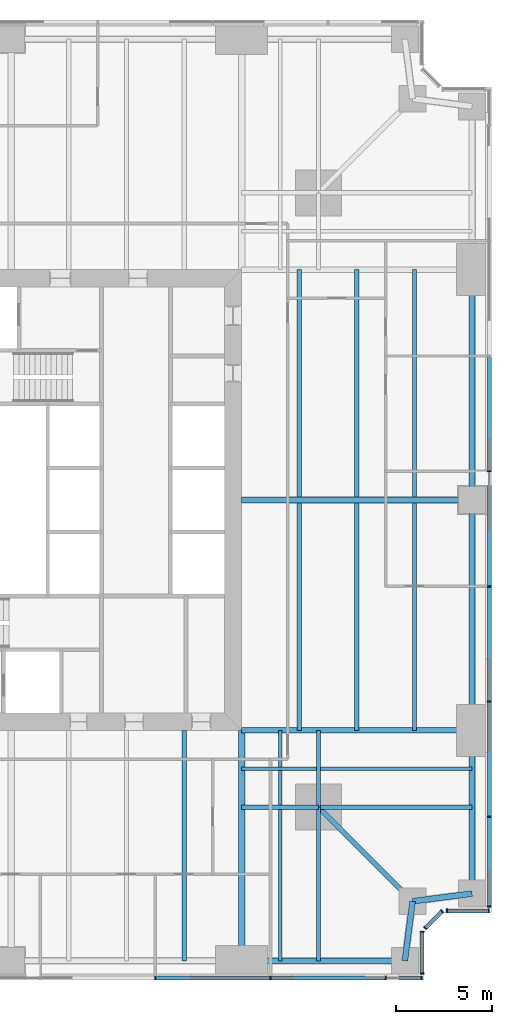
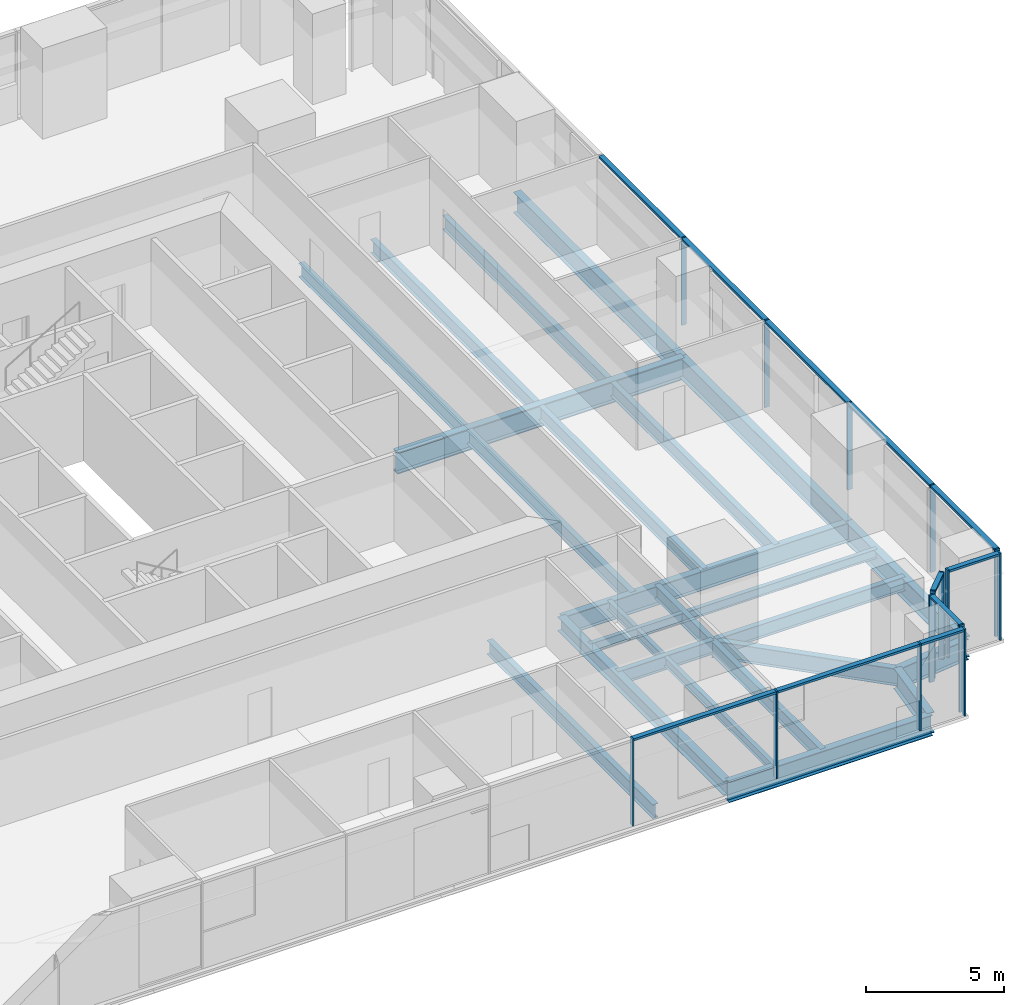
# One storey, part 5 of 14: 26 beams, 26 members, 5 elements without a shape of their own.
"""IFC4 building model written with IfcOpenShell, lengths in metres."""

import ifcopenshell
import ifcopenshell.guid

model = None  # the IFC model being written
_history = None  # IfcOwnerHistory: only IFC2X3 demands one
_inside = {}  # id of a spatial element -> (the spatial element, [elements in it])
_under = {}  # id of a project, library or spatial element -> (it, [spatial elements below it])
_declared = {}  # id of a project -> (the project, [libraries it declares])
_typed = {}  # id of a type object -> (the type object, [elements of that type])
_made_of = {}  # id of a material, layer set ... -> (it, [elements and type objects made of it])


def new_model(schema):
    """Start an empty IFC model of exactly this schema.

    Asked for "IFC4X3", IfcOpenShell would pick the latest addendum, in which some entities
    have other attributes; the version numbers below select the first issue.
    IFC2X3 requires an IfcOwnerHistory on every rooted entity: one is made here for all.
    """
    global model, _history
    if schema == "IFC4X3":
        model = ifcopenshell.file(schema_version=(4, 3, 0, 0))
    else:
        model = ifcopenshell.file(schema=schema)
    _inside.clear()
    _under.clear()
    _declared.clear()
    _typed.clear()
    _made_of.clear()
    _history = None
    if model.schema == "IFC2X3":
        org = make("IfcOrganization", Name="unknown")
        user = make(
            "IfcPersonAndOrganization",
            ThePerson=make("IfcPerson", FamilyName="unknown"),
            TheOrganization=org,
        )
        app = make(
            "IfcApplication",
            ApplicationDeveloper=org,
            Version="unknown",
            ApplicationFullName="unknown",
            ApplicationIdentifier="unknown",
        )
        _history = make(
            "IfcOwnerHistory",
            OwningUser=user,
            OwningApplication=app,
            ChangeAction="ADDED",
            CreationDate=0,
        )
    return model


def make(cls, **values):
    """One entity of the class cls with the attributes given. An attribute that is None is left unset."""
    return model.create_entity(
        cls, **{name: value for name, value in values.items() if value is not None}
    )


def rooted(cls, **values):
    """An entity with a GlobalId (a new one), such as an element, a storey or a relation."""
    return make(cls, GlobalId=ifcopenshell.guid.new(), OwnerHistory=_history, **values)


def si_unit(unit_type, name, prefix=None):
    """IfcSIUnit, for example si_unit("LENGTHUNIT", "METRE", prefix="MILLI")."""
    return make("IfcSIUnit", UnitType=unit_type, Prefix=prefix, Name=name)


def assignment(units):
    """IfcUnitAssignment: the units of a project."""
    return None if units is None else make("IfcUnitAssignment", Units=units)


def point(xyz):
    """IfcCartesianPoint."""
    return None if xyz is None else make("IfcCartesianPoint", Coordinates=xyz)


def direction(xyz):
    """IfcDirection."""
    return None if xyz is None else make("IfcDirection", DirectionRatios=xyz)


def frame(location, z_axis=None, x_axis=None):
    """IfcAxis2Placement3D, a coordinate frame: its origin and axes. An axis left out is left unset."""
    return make(
        "IfcAxis2Placement3D",
        Location=point(location),
        Axis=direction(z_axis),
        RefDirection=direction(x_axis),
    )


def frame_2d(location, x_axis=None):
    """IfcAxis2Placement2D, a coordinate frame in the plane: its origin and x axis."""
    return make(
        "IfcAxis2Placement2D", Location=point(location), RefDirection=direction(x_axis)
    )


def origin():
    """The frame at (0, 0, 0) with its axes left unset."""
    return frame((0.0, 0.0, 0.0))


def origin_2d():
    """The frame at (0, 0) in the plane with its x axis left unset."""
    return frame_2d((0.0, 0.0))


def place(relative_to, where):
    """IfcLocalPlacement: puts the frame where relative to a parent placement (None: the world)."""
    return make(
        "IfcLocalPlacement", PlacementRelTo=relative_to, RelativePlacement=where
    )


def context(
    kind, dimensions, precision=None, world=None, true_north=None, identifier=None
):
    """IfcGeometricRepresentationContext, for example the 3D "Model" context."""
    return make(
        "IfcGeometricRepresentationContext",
        ContextIdentifier=identifier,
        ContextType=kind,
        CoordinateSpaceDimension=dimensions,
        Precision=precision,
        WorldCoordinateSystem=world,
        TrueNorth=true_north,
    )


def subcontext(parent, identifier, kind, view, scale=None):
    """IfcGeometricRepresentationSubContext, for example "Body" below "Model"."""
    return make(
        "IfcGeometricRepresentationSubContext",
        ContextIdentifier=identifier,
        ContextType=kind,
        ParentContext=parent,
        TargetScale=scale,
        TargetView=view,
    )


def project(units=None, contexts=None):
    """IfcProject with its units and contexts."""
    return rooted(
        "IfcProject",
        Name="project",
        RepresentationContexts=contexts,
        UnitsInContext=assignment(units),
    )


def spatial(cls, under=None, at=None, **own):
    """A site, building, storey or space (cls), placed at a placement, below another one or the project."""
    s = rooted(cls, ObjectPlacement=at, **own)
    if under is not None:
        _under.setdefault(under.id(), (under, []))[1].append(s)
    return s


def profile(cls, at=None, kind="AREA", **sizes):
    """A parametric profile (cls). Its sizes go by their IFC names, for example OverallWidth=200.0."""
    return make(cls, ProfileType=kind, Position=at, **sizes)


def rectangle(**sizes):
    """IfcRectangleProfileDef."""
    return profile("IfcRectangleProfileDef", **sizes)


def i_section(**sizes):
    """IfcIShapeProfileDef."""
    return profile("IfcIShapeProfileDef", **sizes)


def extrude(swept, where, along, depth):
    """IfcExtrudedAreaSolid: the profile swept, set in the frame where, extruded along a direction by depth."""
    return make(
        "IfcExtrudedAreaSolid",
        SweptArea=swept,
        Position=where,
        ExtrudedDirection=direction(along),
        Depth=depth,
    )


def shape(context_of_items, identifier, shape_type, items):
    """IfcShapeRepresentation: the items that make up one representation, for example the "Body"."""
    return make(
        "IfcShapeRepresentation",
        ContextOfItems=context_of_items,
        RepresentationIdentifier=identifier,
        RepresentationType=shape_type,
        Items=items,
    )


def material(Name=None, Category=None):
    """IfcMaterial."""
    return make("IfcMaterial", Name=Name, Category=Category)


def material_profile(
    of_material, cross_section, Name=None, Category=None, Priority=None
):
    """IfcMaterialProfile: a cross section and its material."""
    return make(
        "IfcMaterialProfile",
        Name=Name,
        Material=of_material,
        Profile=cross_section,
        Priority=Priority,
        Category=Category,
    )


def profile_set(profiles, Name=None, composite=None):
    """IfcMaterialProfileSet."""
    return make(
        "IfcMaterialProfileSet",
        Name=Name,
        MaterialProfiles=profiles,
        CompositeProfile=composite,
    )


def made_of(thing, what):
    """Note that an element or type object is made of a material, layer set ...; save() writes the relation."""
    if what is not None:
        _made_of.setdefault(what.id(), (what, []))[1].append(thing)
    return thing


def type_object(cls, material=None, **own):
    """A type object (cls), such as IfcWallType, which elements share."""
    return made_of(rooted(cls, **own), material)


def element(
    cls,
    number,
    at=None,
    inside=None,
    cuts=None,
    type_object=None,
    material=None,
    context=None,
    identifier="Body",
    shape_type=None,
    held_by="IfcProductDefinitionShape",
    body=None,
    shapes=None,
    **own,
):
    """One element of the class cls, such as IfcWall. Its Tag is "e" and its number.

    at: its placement. inside: the storey or other place that contains it. cuts: it is an
    opening in that element (IfcRelVoidsElement). A single representation is given by context,
    identifier, shape_type and body (its items); several are given by shapes. held_by: the class
    of the entity that holds the representations. save() writes the other relations.
    """
    e = rooted(cls, Tag="e%d" % number, ObjectPlacement=at, **own)
    if body is not None:
        shapes = [shape(context, identifier, shape_type, body)]
    if shapes is not None:
        e.Representation = make(held_by, Representations=shapes)
    if inside is not None:
        _inside.setdefault(inside.id(), (inside, []))[1].append(e)
    if cuts is not None:
        rooted(
            "IfcRelVoidsElement", RelatingBuildingElement=cuts, RelatedOpeningElement=e
        )
    if type_object is not None:
        _typed.setdefault(type_object.id(), (type_object, []))[1].append(e)
    return made_of(e, material)


def aggregate(whole, parts):
    """IfcRelAggregates: a whole, such as a stair, and the parts it consists of."""
    return rooted("IfcRelAggregates", RelatingObject=whole, RelatedObjects=parts)


def save(model, path):
    """Write the relations noted so far, then the file.

    IfcRelAggregates (storeys below a building ...), IfcRelContainedInSpatialStructure (elements
    in a storey), IfcRelDefinesByType, IfcRelAssociatesMaterial and IfcRelDeclares: one each for
    every whole, place, type object, material and project.
    """
    for whole, parts in _under.values():
        aggregate(whole, parts)
    for where, things in _inside.values():
        rooted(
            "IfcRelContainedInSpatialStructure",
            RelatedElements=things,
            RelatingStructure=where,
        )
    for kind, things in _typed.values():
        rooted("IfcRelDefinesByType", RelatedObjects=things, RelatingType=kind)
    for what, things in _made_of.values():
        rooted("IfcRelAssociatesMaterial", RelatedObjects=things, RelatingMaterial=what)
    for by, libraries in _declared.values():
        rooted("IfcRelDeclares", RelatingContext=by, RelatedDefinitions=libraries)
    model.write(path)


model = new_model("IFC4")

# Units and contexts
model_context = context("Model", 3, precision=1e-05, world=origin(), true_north=direction((0.0, 1.0)))
body_context = subcontext(model_context, "Body", "Model", "MODEL_VIEW")
ifc_project = project(units=[si_unit("LENGTHUNIT", "METRE"), si_unit("AREAUNIT", "SQUARE_METRE"), si_unit("VOLUMEUNIT", "CUBIC_METRE"), si_unit("PLANEANGLEUNIT", "RADIAN"), si_unit("MASSUNIT", "GRAM", prefix="KILO")], contexts=[model_context])

# Site, building, storey
site_placement = place(None, origin())
site = spatial("IfcSite", under=ifc_project, at=site_placement, CompositionType="ELEMENT")
building_placement = place(site_placement, origin())
building = spatial("IfcBuilding", under=site, at=building_placement, Name="Fenwick Lantern Interchange", CompositionType="ELEMENT")
storey_placement = place(building_placement, frame((0.0, 0.0, 83.0)))
storey = spatial("IfcBuildingStorey", under=building, at=storey_placement, Name="L19", CompositionType="ELEMENT", Elevation=83.0)

# Beams
ifc_material_1 = material(Name="Steel ASTM A992 Grade 50", Category="steel")
ifc_material_profile_1 = material_profile(ifc_material_1, i_section(OverallWidth=0.3046875, OverallDepth=0.911865234375, WebThickness=0.015869140625, FlangeThickness=0.02392578125, at=origin_2d()), Name="W36X150")
ifc_profile_set_1 = profile_set([ifc_material_profile_1], Name="Steel ASTM A992 Grade 50")
beam_type_1 = type_object("IfcBeamType", Name="EDGE BEAM W36X150", PredefinedType="SPANDREL", material=ifc_profile_set_1)
beam_1_placement = place(storey_placement, frame((37.0, 1.0, -0.60595703125), z_axis=(1.0, 0.0, 0.0), x_axis=(0.0, 1.0, 0.0)))
element("IfcBeam", 1, at=beam_1_placement, inside=storey, type_object=beam_type_1, Name="L19/FR/S/EB4", PredefinedType="SPANDREL", context=body_context, shape_type="SweptSolid", body=[
    extrude(i_section(OverallWidth=0.3046875, OverallDepth=0.911865234375, WebThickness=0.015869140625, FlangeThickness=0.02392578125, at=origin_2d()), origin(), (0.0, 0.0, 1.0), 8.5),
])
for number, where, z_axis, x_axis, name in (
    (2, (45.5, 1.0, -0.60595703125), (0.127936641807, 0.991782342897, 0.0), (-0.991782342897, 0.127936641807, 0.0), "L19/FR/S/EBR1"),
    (3, (45.89990234375, 4.10009765625, -0.60595703125), (0.991782342897, 0.127936641807, 0.0), (-0.127936641807, 0.991782342897, 0.0), "L19/FR/S/EBR2"),
):
    element("IfcBeam", number, at=place(storey_placement, frame(where, z_axis=z_axis, x_axis=x_axis)), inside=storey, type_object=beam_type_1, Name=name, PredefinedType="SPANDREL", context=body_context, shape_type="SweptSolid", body=[
        extrude(i_section(OverallWidth=0.3046875, OverallDepth=0.911865234375, WebThickness=0.015869140625, FlangeThickness=0.02392578125, at=origin_2d()), origin(), (0.0, 0.0, 1.0), 3.125732421875),
    ])
beam_2_placement = place(storey_placement, frame((49.0, 4.5, -0.60595703125), z_axis=(0.0, 1.0, 0.0), x_axis=(-1.0, 0.0, 0.0)))
element("IfcBeam", 4, at=beam_2_placement, inside=storey, type_object=beam_type_1, Name="L19/FR/E/EB1", PredefinedType="SPANDREL", context=body_context, shape_type="SweptSolid", body=[
    extrude(i_section(OverallWidth=0.3046875, OverallDepth=0.911865234375, WebThickness=0.015869140625, FlangeThickness=0.02392578125, at=origin_2d()), origin(), (0.0, 0.0, 1.0), 8.5),
])
for number, where, z_axis, x_axis, name in (
    (5, (49.0, 13.0, -0.60595703125), (0.0, 1.0, 0.0), (-1.0, 0.0, 0.0), "L19/FR/E/EB2"),
    (6, (49.0, 25.0, -0.60595703125), (0.0, 1.0, 0.0), (-1.0, 0.0, 0.0), "L19/FR/E/EB3"),
):
    element("IfcBeam", number, at=place(storey_placement, frame(where, z_axis=z_axis, x_axis=x_axis)), inside=storey, type_object=beam_type_1, Name=name, PredefinedType="SPANDREL", context=body_context, shape_type="SweptSolid", body=[
        extrude(i_section(OverallWidth=0.3046875, OverallDepth=0.911865234375, WebThickness=0.015869140625, FlangeThickness=0.02392578125, at=origin_2d()), origin(), (0.0, 0.0, 1.0), 12.0),
    ])
ifc_material_profile_2 = material_profile(ifc_material_1, i_section(OverallWidth=0.22900390625, OverallDepth=0.612060546875, WebThickness=0.011962890625, FlangeThickness=0.01953125, at=origin_2d()), Name="W24X84")
ifc_profile_set_2 = profile_set([ifc_material_profile_2], Name="Steel ASTM A992 Grade 50")
beam_type_2 = type_object("IfcBeamType", Name="FLOOR BEAM W24X84", PredefinedType="BEAM", material=ifc_profile_set_2)
beam_3_placement = place(storey_placement, frame((34.0, 1.0, -0.4560546875), z_axis=(0.0, 1.0, 0.0), x_axis=(-1.0, 0.0, 0.0)))
element("IfcBeam", 7, at=beam_3_placement, inside=storey, type_object=beam_type_2, Name="L19/FR/S/R08", PredefinedType="BEAM", context=body_context, shape_type="SweptSolid", body=[
    extrude(i_section(OverallWidth=0.22900390625, OverallDepth=0.612060546875, WebThickness=0.011962890625, FlangeThickness=0.01953125, at=origin_2d()), origin(), (0.0, 0.0, 1.0), 12.0),
])
for number, where, z_axis, x_axis, name in (
    (8, (46.0, 13.0, -0.4560546875), (0.0, 1.0, 0.0), (-1.0, 0.0, 0.0), "L19/FR/E/B01"),
    (9, (43.0, 13.0, -0.4560546875), (0.0, 1.0, 0.0), (-1.0, 0.0, 0.0), "L19/FR/E/B02"),
    (10, (40.0, 13.0, -0.4560546875), (0.0, 1.0, 0.0), (-1.0, 0.0, 0.0), "L19/FR/E/B03"),
    (11, (46.0, 25.155029296875, -0.4560546875), (0.0, 1.0, 0.0), (-1.0, 0.0, 0.0), "L19/FR/E/B04"),
    (12, (43.0, 25.155029296875, -0.4560546875), (0.0, 1.0, 0.0), (-1.0, 0.0, 0.0), "L19/FR/E/B05"),
    (13, (40.0, 25.155029296875, -0.4560546875), (0.0, 1.0, 0.0), (-1.0, 0.0, 0.0), "L19/FR/E/B06"),
):
    element("IfcBeam", number, at=place(storey_placement, frame(where, z_axis=z_axis, x_axis=x_axis)), inside=storey, type_object=beam_type_2, Name=name, PredefinedType="BEAM", context=body_context, shape_type="SweptSolid", body=[
        extrude(i_section(OverallWidth=0.22900390625, OverallDepth=0.612060546875, WebThickness=0.011962890625, FlangeThickness=0.01953125, at=origin_2d()), origin(), (0.0, 0.0, 1.0), 11.844970703125),
    ])
ifc_material_profile_3 = material_profile(ifc_material_1, i_section(OverallWidth=0.177734375, OverallDepth=0.406494140625, WebThickness=0.0078125, FlangeThickness=0.012939453125, at=origin_2d()), Name="W16X40")
ifc_profile_set_3 = profile_set([ifc_material_profile_3], Name="Steel ASTM A992 Grade 50")
beam_type_3 = type_object("IfcBeamType", Name="INFILL BEAM W16X40", PredefinedType="JOIST", material=ifc_profile_set_3)
beam_4_placement = place(storey_placement, frame((49.0, 11.0, -0.353271484375), z_axis=(-1.0, 0.0, 0.0), x_axis=(0.0, -1.0, 0.0)))
element("IfcBeam", 14, at=beam_4_placement, inside=storey, type_object=beam_type_3, Name="L19/FR/E/J1", PredefinedType="JOIST", context=body_context, shape_type="SweptSolid", body=[
    extrude(i_section(OverallWidth=0.177734375, OverallDepth=0.406494140625, WebThickness=0.0078125, FlangeThickness=0.012939453125, at=origin_2d()), origin(), (0.0, 0.0, 1.0), 7.885498046875),
])
beam_5_placement = place(storey_placement, frame((40.885498046875, 11.0, -0.353271484375), z_axis=(-1.0, 0.0, 0.0), x_axis=(0.0, -1.0, 0.0)))
element("IfcBeam", 15, at=beam_5_placement, inside=storey, type_object=beam_type_3, Name="L19/FR/E/J2", PredefinedType="JOIST", context=body_context, shape_type="SweptSolid", body=[
    extrude(i_section(OverallWidth=0.177734375, OverallDepth=0.406494140625, WebThickness=0.0078125, FlangeThickness=0.012939453125, at=origin_2d()), origin(), (0.0, 0.0, 1.0), 3.885498046875),
])
beam_6_placement = place(storey_placement, frame((39.0, 1.0, -0.353271484375), z_axis=(0.0, 1.0, 0.0), x_axis=(-1.0, 0.0, 0.0)))
element("IfcBeam", 16, at=beam_6_placement, inside=storey, type_object=beam_type_3, Name="L19/FR/E/J3", PredefinedType="JOIST", context=body_context, shape_type="SweptSolid", body=[
    extrude(i_section(OverallWidth=0.177734375, OverallDepth=0.406494140625, WebThickness=0.0078125, FlangeThickness=0.012939453125, at=origin_2d()), origin(), (0.0, 0.0, 1.0), 7.885498046875),
])
beam_7_placement = place(storey_placement, frame((39.0, 9.114501953125, -0.353271484375), z_axis=(0.0, 1.0, 0.0), x_axis=(-1.0, 0.0, 0.0)))
element("IfcBeam", 17, at=beam_7_placement, inside=storey, type_object=beam_type_3, Name="L19/FR/E/J4", PredefinedType="JOIST", context=body_context, shape_type="SweptSolid", body=[
    extrude(i_section(OverallWidth=0.177734375, OverallDepth=0.406494140625, WebThickness=0.0078125, FlangeThickness=0.012939453125, at=origin_2d()), origin(), (0.0, 0.0, 1.0), 1.796630859375),
])
beam_8_placement = place(storey_placement, frame((39.0, 11.0888671875, -0.353271484375), z_axis=(0.0, 1.0, 0.0), x_axis=(-1.0, 0.0, 0.0)))
element("IfcBeam", 18, at=beam_8_placement, inside=storey, type_object=beam_type_3, Name="L19/FR/E/J5", PredefinedType="JOIST", context=body_context, shape_type="SweptSolid", body=[
    extrude(i_section(OverallWidth=0.177734375, OverallDepth=0.406494140625, WebThickness=0.0078125, FlangeThickness=0.012939453125, at=origin_2d()), origin(), (0.0, 0.0, 1.0), 1.9111328125),
])
ifc_material_profile_4 = material_profile(ifc_material_1, i_section(OverallWidth=0.22900390625, OverallDepth=0.612060546875, WebThickness=0.011962890625, FlangeThickness=0.01953125, at=origin_2d()), Name="W24X84")
ifc_profile_set_4 = profile_set([ifc_material_profile_4], Name="Steel ASTM A992 Grade 50")
beam_type_4 = type_object("IfcBeamType", Name="MEGA COLUMN BEAM W24X84", PredefinedType="BEAM", material=ifc_profile_set_4)
for number, where, z_axis, x_axis, name in (
    (19, (41.0, 9.0, -0.4560546875), (1.0, 0.0, 0.0), (0.0, 1.0, 0.0), "L19/FR/E/MB1"),
    (20, (41.0, 9.0, -0.4560546875), (0.0, -1.0, 0.0), (1.0, 0.0, 0.0), "L19/FR/E/MB2"),
):
    element("IfcBeam", number, at=place(storey_placement, frame(where, z_axis=z_axis, x_axis=x_axis)), inside=storey, type_object=beam_type_4, Name=name, PredefinedType="BEAM", context=body_context, shape_type="SweptSolid", body=[
        extrude(i_section(OverallWidth=0.22900390625, OverallDepth=0.612060546875, WebThickness=0.011962890625, FlangeThickness=0.01953125, at=origin_2d()), origin(), (0.0, 0.0, 1.0), 8.0),
    ])
for number, where, z_axis, x_axis, name in (
    (21, (41.0, 9.0, -0.4560546875), (0.0, 1.0, 0.0), (-1.0, 0.0, 0.0), "L19/FR/E/MB3"),
    (22, (41.0, 9.0, -0.4560546875), (-1.0, 0.0, 0.0), (0.0, -1.0, 0.0), "L19/FR/E/MB4"),
):
    element("IfcBeam", number, at=place(storey_placement, frame(where, z_axis=z_axis, x_axis=x_axis)), inside=storey, type_object=beam_type_4, Name=name, PredefinedType="BEAM", context=body_context, shape_type="SweptSolid", body=[
        extrude(i_section(OverallWidth=0.22900390625, OverallDepth=0.612060546875, WebThickness=0.011962890625, FlangeThickness=0.01953125, at=origin_2d()), origin(), (0.0, 0.0, 1.0), 4.0),
    ])
ifc_material_profile_5 = material_profile(ifc_material_1, i_section(OverallWidth=0.32763671875, OverallDepth=0.622314453125, WebThickness=0.015380859375, FlangeThickness=0.0244140625, at=origin_2d()), Name="W24X131")
ifc_profile_set_5 = profile_set([ifc_material_profile_5], Name="Steel ASTM A992 Grade 50")
beam_type_5 = type_object("IfcBeamType", Name="MOMENT-CONNECTED GIRDER W24X131", PredefinedType="BEAM", material=ifc_profile_set_5)
beam_9_placement = place(storey_placement, frame((37.0, 1.0, -0.461181640625), z_axis=(0.0, 1.0, 0.0), x_axis=(-1.0, 0.0, 0.0)))
element("IfcBeam", 23, at=beam_9_placement, inside=storey, type_object=beam_type_5, Name="L19/FR/S/R09", PredefinedType="BEAM", context=body_context, shape_type="SweptSolid", body=[
    extrude(i_section(OverallWidth=0.32763671875, OverallDepth=0.622314453125, WebThickness=0.015380859375, FlangeThickness=0.0244140625, at=origin_2d()), origin(), (0.0, 0.0, 1.0), 12.0),
])
ifc_material_profile_6 = material_profile(ifc_material_1, i_section(OverallWidth=0.2919921875, OverallDepth=0.845703125, WebThickness=0.015380859375, FlangeThickness=0.0244140625, at=origin_2d()), Name="W33X141")
ifc_profile_set_6 = profile_set([ifc_material_profile_6], Name="Steel ASTM A992 Grade 50")
beam_type_6 = type_object("IfcBeamType", Name="MOMENT-CONNECTED GIRDER W33X141", PredefinedType="BEAM", material=ifc_profile_set_6)
beam_10_placement = place(storey_placement, frame((49.0, 13.0, -0.572998046875), z_axis=(-1.0, 0.0, 0.0), x_axis=(0.0, -1.0, 0.0)))
element("IfcBeam", 24, at=beam_10_placement, inside=storey, type_object=beam_type_6, Name="L19/FR/E/R01", PredefinedType="BEAM", context=body_context, shape_type="SweptSolid", body=[
    extrude(i_section(OverallWidth=0.2919921875, OverallDepth=0.845703125, WebThickness=0.015380859375, FlangeThickness=0.0244140625, at=origin_2d()), origin(), (0.0, 0.0, 1.0), 12.0),
])
ifc_material_profile_7 = material_profile(ifc_material_1, i_section(OverallWidth=0.309814453125, OverallDepth=0.949951171875, WebThickness=0.0244140625, FlangeThickness=0.0439453125, at=origin_2d()), Name="W36X256")
ifc_profile_set_7 = profile_set([ifc_material_profile_7], Name="Steel ASTM A992 Grade 50")
beam_type_7 = type_object("IfcBeamType", Name="MOMENT-CONNECTED GIRDER W36X256", PredefinedType="BEAM", material=ifc_profile_set_7)
beam_11_placement = place(storey_placement, frame((49.0, 25.0, -0.625), z_axis=(-1.0, 0.0, 0.0), x_axis=(0.0, -1.0, 0.0)))
element("IfcBeam", 25, at=beam_11_placement, inside=storey, type_object=beam_type_7, Name="L19/FR/E/R02", PredefinedType="BEAM", context=body_context, shape_type="SweptSolid", body=[
    extrude(i_section(OverallWidth=0.309814453125, OverallDepth=0.949951171875, WebThickness=0.0244140625, FlangeThickness=0.0439453125, at=origin_2d()), origin(), (0.0, 0.0, 1.0), 12.0),
])
ifc_material_profile_8 = material_profile(ifc_material_1, i_section(OverallWidth=0.2666015625, OverallDepth=0.7568359375, WebThickness=0.013916015625, FlangeThickness=0.019287109375, at=origin_2d()), Name="W30X108")
ifc_profile_set_8 = profile_set([ifc_material_profile_8], Name="Steel ASTM A992 Grade 50")
beam_type_8 = type_object("IfcBeamType", Name="NOTCH BEAM W30X108", PredefinedType="BEAM", material=ifc_profile_set_8)
beam_12_placement = place(storey_placement, frame((41.0, 9.0, -0.528564453125), z_axis=(0.707106781187, -0.707106781187, 0.0), x_axis=(0.707106781187, 0.707106781187, 0.0)))
element("IfcBeam", 26, at=beam_12_placement, inside=storey, type_object=beam_type_8, Name="L19/FR/E/TG", PredefinedType="BEAM", context=body_context, shape_type="SweptSolid", body=[
    extrude(i_section(OverallWidth=0.2666015625, OverallDepth=0.7568359375, WebThickness=0.013916015625, FlangeThickness=0.019287109375, at=origin_2d()), origin(), (0.0, 0.0, 1.0), 6.929443359375),
])

# Curtain wall, members
ifc_material_2 = material(Name="Aluminium curtain wall frame", Category="aluminium")
curtain_wall_type = type_object("IfcCurtainWallType", Name="OFFICE CURTAIN WALL", PredefinedType="USERDEFINED", material=ifc_material_2)
curtain_wall_1_placement = place(storey_placement, origin())
curtain_wall_1 = element("IfcCurtainWall", 27, at=curtain_wall_1_placement, inside=storey, type_object=curtain_wall_type, Name="Office curtain wall 01", ObjectType="OFFICE CURTAIN WALL", PredefinedType="USERDEFINED")
ifc_material_3 = material(Name="Aluminium extrusion", Category="aluminium")
ifc_material_profile_9 = material_profile(ifc_material_3, rectangle(XDim=0.199951171875, YDim=0.06494140625, at=origin_2d()), Name="OFFICE CURTAIN WALL MULLION 65 X 200")
ifc_profile_set_9 = profile_set([ifc_material_profile_9], Name="Aluminium extrusion")
member_type_1 = type_object("IfcMemberType", Name="OFFICE CURTAIN WALL MULLION 65 X 200", PredefinedType="MULLION", material=ifc_profile_set_9)
member_1_placement = place(storey_placement, frame((32.5, 0.10009765625, 0.0), z_axis=(0.0, 0.0, 1.0), x_axis=(0.0, 1.0, 0.0)))
member_1 = element("IfcMember", 28, at=member_1_placement, type_object=member_type_1, Name="L19/CW/01/M05", PredefinedType="MULLION", context=body_context, shape_type="SweptSolid", body=[
    extrude(rectangle(XDim=0.199951171875, YDim=0.06494140625, at=origin_2d()), origin(), (0.0, 0.0, 1.0), 3.85009765625),
])
member_2_placement = place(storey_placement, frame((38.5, 0.10009765625, 0.0), z_axis=(0.0, 0.0, 1.0), x_axis=(0.0, 1.0, 0.0)))
member_2 = element("IfcMember", 29, at=member_2_placement, type_object=member_type_1, Name="L19/CW/01/M06", PredefinedType="MULLION", context=body_context, shape_type="SweptSolid", body=[
    extrude(rectangle(XDim=0.199951171875, YDim=0.06494140625, at=origin_2d()), origin(), (0.0, 0.0, 1.0), 3.85009765625),
])
member_3_placement = place(storey_placement, frame((44.5, 0.10009765625, 0.0), z_axis=(0.0, 0.0, 1.0), x_axis=(0.0, 1.0, 0.0)))
member_3 = element("IfcMember", 30, at=member_3_placement, type_object=member_type_1, Name="L19/CW/01/M07", PredefinedType="MULLION", context=body_context, shape_type="SweptSolid", body=[
    extrude(rectangle(XDim=0.199951171875, YDim=0.06494140625, at=origin_2d()), origin(), (0.0, 0.0, 1.0), 3.85009765625),
])
member_4_placement = place(storey_placement, frame((46.367431640625, 0.10009765625, 0.0), z_axis=(0.0, 0.0, 1.0), x_axis=(0.0, 1.0, 0.0)))
member_4 = element("IfcMember", 31, at=member_4_placement, type_object=member_type_1, Name="L19/CW/01/M08", PredefinedType="MULLION", context=body_context, shape_type="SweptSolid", body=[
    extrude(rectangle(XDim=0.199951171875, YDim=0.06494140625, at=origin_2d()), origin(), (0.0, 0.0, 1.0), 3.85009765625),
])

curtain_wall_2_placement = place(storey_placement, origin())
curtain_wall_2 = element("IfcCurtainWall", 32, at=curtain_wall_2_placement, inside=storey, type_object=curtain_wall_type, Name="Office curtain wall 02", ObjectType="OFFICE CURTAIN WALL", PredefinedType="USERDEFINED")
member_5_placement = place(storey_placement, frame((46.39990234375, 0.33251953125, 0.0), z_axis=(0.0, 0.0, 1.0), x_axis=(-1.0, 0.0, 0.0)))
member_5 = element("IfcMember", 33, at=member_5_placement, type_object=member_type_1, Name="L19/CW/02/M00", PredefinedType="MULLION", context=body_context, shape_type="SweptSolid", body=[
    extrude(rectangle(XDim=0.199951171875, YDim=0.06494140625, at=origin_2d()), origin(), (0.0, 0.0, 1.0), 3.85009765625),
])
member_6_placement = place(storey_placement, frame((46.39990234375, 2.509033203125, 0.0), z_axis=(0.0, 0.0, 1.0), x_axis=(-1.0, 0.0, 0.0)))
member_6 = element("IfcMember", 34, at=member_6_placement, type_object=member_type_1, Name="L19/CW/02/M01", PredefinedType="MULLION", context=body_context, shape_type="SweptSolid", body=[
    extrude(rectangle(XDim=0.199951171875, YDim=0.06494140625, at=origin_2d()), origin(), (0.0, 0.0, 1.0), 3.85009765625),
])

curtain_wall_3_placement = place(storey_placement, origin())
curtain_wall_3 = element("IfcCurtainWall", 35, at=curtain_wall_3_placement, inside=storey, type_object=curtain_wall_type, Name="Office curtain wall 03", ObjectType="OFFICE CURTAIN WALL", PredefinedType="USERDEFINED")
member_7_placement = place(storey_placement, frame((46.564453125, 2.705810546875, 0.0), z_axis=(0.0, 0.0, 1.0), x_axis=(-0.707106781187, 0.707106781187, 0.0)))
member_7 = element("IfcMember", 36, at=member_7_placement, type_object=member_type_1, Name="L19/CW/03/M00", PredefinedType="MULLION", context=body_context, shape_type="SweptSolid", body=[
    extrude(rectangle(XDim=0.199951171875, YDim=0.06494140625, at=origin_2d()), origin(), (0.0, 0.0, 1.0), 3.85009765625),
])
member_8_placement = place(storey_placement, frame((47.435546875, 3.576904296875, 0.0), z_axis=(0.0, 0.0, 1.0), x_axis=(-0.707106781187, 0.707106781187, 0.0)))
member_8 = element("IfcMember", 37, at=member_8_placement, type_object=member_type_1, Name="L19/CW/03/M01", PredefinedType="MULLION", context=body_context, shape_type="SweptSolid", body=[
    extrude(rectangle(XDim=0.199951171875, YDim=0.06494140625, at=origin_2d()), origin(), (0.0, 0.0, 1.0), 3.85009765625),
])

curtain_wall_4_placement = place(storey_placement, origin())
curtain_wall_4 = element("IfcCurtainWall", 38, at=curtain_wall_4_placement, inside=storey, type_object=curtain_wall_type, Name="Office curtain wall 04", ObjectType="OFFICE CURTAIN WALL", PredefinedType="USERDEFINED")
member_9_placement = place(storey_placement, frame((47.691162109375, 3.60009765625, 0.0), z_axis=(0.0, 0.0, 1.0), x_axis=(0.0, 1.0, 0.0)))
member_9 = element("IfcMember", 39, at=member_9_placement, type_object=member_type_1, Name="L19/CW/04/M00", PredefinedType="MULLION", context=body_context, shape_type="SweptSolid", body=[
    extrude(rectangle(XDim=0.199951171875, YDim=0.06494140625, at=origin_2d()), origin(), (0.0, 0.0, 1.0), 3.85009765625),
])
member_10_placement = place(storey_placement, frame((49.867431640625, 3.60009765625, 0.0), z_axis=(0.0, 0.0, 1.0), x_axis=(0.0, 1.0, 0.0)))
member_10 = element("IfcMember", 40, at=member_10_placement, type_object=member_type_1, Name="L19/CW/04/M01", PredefinedType="MULLION", context=body_context, shape_type="SweptSolid", body=[
    extrude(rectangle(XDim=0.199951171875, YDim=0.06494140625, at=origin_2d()), origin(), (0.0, 0.0, 1.0), 3.85009765625),
])

curtain_wall_5_placement = place(storey_placement, origin())
curtain_wall_5 = element("IfcCurtainWall", 41, at=curtain_wall_5_placement, inside=storey, type_object=curtain_wall_type, Name="Office curtain wall 05", ObjectType="OFFICE CURTAIN WALL", PredefinedType="USERDEFINED")
member_11_placement = place(storey_placement, frame((49.89990234375, 3.83251953125, 0.0), z_axis=(0.0, 0.0, 1.0), x_axis=(-1.0, 0.0, 0.0)))
member_11 = element("IfcMember", 42, at=member_11_placement, type_object=member_type_1, Name="L19/CW/05/M00", PredefinedType="MULLION", context=body_context, shape_type="SweptSolid", body=[
    extrude(rectangle(XDim=0.199951171875, YDim=0.06494140625, at=origin_2d()), origin(), (0.0, 0.0, 1.0), 3.85009765625),
])
member_12_placement = place(storey_placement, frame((49.89990234375, 8.5, 0.0), z_axis=(0.0, 0.0, 1.0), x_axis=(-1.0, 0.0, 0.0)))
member_12 = element("IfcMember", 43, at=member_12_placement, type_object=member_type_1, Name="L19/CW/05/M01", PredefinedType="MULLION", context=body_context, shape_type="SweptSolid", body=[
    extrude(rectangle(XDim=0.199951171875, YDim=0.06494140625, at=origin_2d()), origin(), (0.0, 0.0, 1.0), 3.85009765625),
])
member_13_placement = place(storey_placement, frame((49.89990234375, 14.5, 0.0), z_axis=(0.0, 0.0, 1.0), x_axis=(-1.0, 0.0, 0.0)))
member_13 = element("IfcMember", 44, at=member_13_placement, type_object=member_type_1, Name="L19/CW/05/M02", PredefinedType="MULLION", context=body_context, shape_type="SweptSolid", body=[
    extrude(rectangle(XDim=0.199951171875, YDim=0.06494140625, at=origin_2d()), origin(), (0.0, 0.0, 1.0), 3.85009765625),
])
member_14_placement = place(storey_placement, frame((49.89990234375, 20.5, 0.0), z_axis=(0.0, 0.0, 1.0), x_axis=(-1.0, 0.0, 0.0)))
member_14 = element("IfcMember", 45, at=member_14_placement, type_object=member_type_1, Name="L19/CW/05/M03", PredefinedType="MULLION", context=body_context, shape_type="SweptSolid", body=[
    extrude(rectangle(XDim=0.199951171875, YDim=0.06494140625, at=origin_2d()), origin(), (0.0, 0.0, 1.0), 3.85009765625),
])
member_15_placement = place(storey_placement, frame((49.89990234375, 26.5, 0.0), z_axis=(0.0, 0.0, 1.0), x_axis=(-1.0, 0.0, 0.0)))
member_15 = element("IfcMember", 46, at=member_15_placement, type_object=member_type_1, Name="L19/CW/05/M04", PredefinedType="MULLION", context=body_context, shape_type="SweptSolid", body=[
    extrude(rectangle(XDim=0.199951171875, YDim=0.06494140625, at=origin_2d()), origin(), (0.0, 0.0, 1.0), 3.85009765625),
])

# Member
ifc_material_profile_10 = material_profile(ifc_material_3, rectangle(XDim=0.199951171875, YDim=0.10009765625, at=origin_2d()), Name="OFFICE CURTAIN WALL TRANSOM 100 X 200")
ifc_profile_set_10 = profile_set([ifc_material_profile_10], Name="Aluminium extrusion")
member_type_2 = type_object("IfcMemberType", Name="OFFICE CURTAIN WALL TRANSOM 100 X 200", PredefinedType="MULLION", material=ifc_profile_set_10)
member_16_placement = place(storey_placement, frame((32.532470703125, 0.10009765625, 3.800048828125), z_axis=(1.0, 0.0, 0.0), x_axis=(0.0, 1.0, 0.0)))
member_16 = element("IfcMember", 47, at=member_16_placement, type_object=member_type_2, Name="L19/CW/01/T05", PredefinedType="MULLION", context=body_context, shape_type="SweptSolid", body=[
    extrude(rectangle(XDim=0.199951171875, YDim=0.10009765625, at=origin_2d()), origin(), (0.0, 0.0, 1.0), 5.93505859375),
])

member_17_placement = place(storey_placement, frame((38.532470703125, 0.10009765625, 3.800048828125), z_axis=(1.0, 0.0, 0.0), x_axis=(0.0, 1.0, 0.0)))
member_17 = element("IfcMember", 48, at=member_17_placement, type_object=member_type_2, Name="L19/CW/01/T06", PredefinedType="MULLION", context=body_context, shape_type="SweptSolid", body=[
    extrude(rectangle(XDim=0.199951171875, YDim=0.10009765625, at=origin_2d()), origin(), (0.0, 0.0, 1.0), 5.93505859375),
])

member_18_placement = place(storey_placement, frame((44.532470703125, 0.10009765625, 3.800048828125), z_axis=(1.0, 0.0, 0.0), x_axis=(0.0, 1.0, 0.0)))
member_18 = element("IfcMember", 49, at=member_18_placement, type_object=member_type_2, Name="L19/CW/01/T07", PredefinedType="MULLION", context=body_context, shape_type="SweptSolid", body=[
    extrude(rectangle(XDim=0.199951171875, YDim=0.10009765625, at=origin_2d()), origin(), (0.0, 0.0, 1.0), 1.802490234375),
])

aggregate(curtain_wall_1, [member_1, member_2, member_3, member_4, member_16, member_17, member_18])

member_19_placement = place(storey_placement, frame((46.39990234375, 0.364990234375, 3.800048828125), z_axis=(0.0, 1.0, 0.0), x_axis=(-1.0, 0.0, 0.0)))
member_19 = element("IfcMember", 50, at=member_19_placement, type_object=member_type_2, Name="L19/CW/02/T00", PredefinedType="MULLION", context=body_context, shape_type="SweptSolid", body=[
    extrude(rectangle(XDim=0.199951171875, YDim=0.10009765625, at=origin_2d()), origin(), (0.0, 0.0, 1.0), 2.111328125),
])

aggregate(curtain_wall_2, [member_5, member_6, member_19])

member_20_placement = place(storey_placement, frame((46.58740234375, 2.728759765625, 3.800048828125), z_axis=(0.707106781187, 0.707106781187, 0.0), x_axis=(-0.707106781187, 0.707106781187, 0.0)))
member_20 = element("IfcMember", 51, at=member_20_placement, type_object=member_type_2, Name="L19/CW/03/T00", PredefinedType="MULLION", context=body_context, shape_type="SweptSolid", body=[
    extrude(rectangle(XDim=0.199951171875, YDim=0.10009765625, at=origin_2d()), origin(), (0.0, 0.0, 1.0), 1.1669921875),
])

aggregate(curtain_wall_3, [member_7, member_8, member_20])

member_21_placement = place(storey_placement, frame((47.7236328125, 3.60009765625, 3.800048828125), z_axis=(1.0, 0.0, 0.0), x_axis=(0.0, 1.0, 0.0)))
member_21 = element("IfcMember", 52, at=member_21_placement, type_object=member_type_2, Name="L19/CW/04/T00", PredefinedType="MULLION", context=body_context, shape_type="SweptSolid", body=[
    extrude(rectangle(XDim=0.199951171875, YDim=0.10009765625, at=origin_2d()), origin(), (0.0, 0.0, 1.0), 2.111328125),
])

aggregate(curtain_wall_4, [member_9, member_10, member_21])

member_22_placement = place(storey_placement, frame((49.89990234375, 3.864990234375, 3.800048828125), z_axis=(0.0, 1.0, 0.0), x_axis=(-1.0, 0.0, 0.0)))
member_22 = element("IfcMember", 53, at=member_22_placement, type_object=member_type_2, Name="L19/CW/05/T00", PredefinedType="MULLION", context=body_context, shape_type="SweptSolid", body=[
    extrude(rectangle(XDim=0.199951171875, YDim=0.10009765625, at=origin_2d()), origin(), (0.0, 0.0, 1.0), 4.6025390625),
])

member_23_placement = place(storey_placement, frame((49.89990234375, 8.532470703125, 3.800048828125), z_axis=(0.0, 1.0, 0.0), x_axis=(-1.0, 0.0, 0.0)))
member_23 = element("IfcMember", 54, at=member_23_placement, type_object=member_type_2, Name="L19/CW/05/T01", PredefinedType="MULLION", context=body_context, shape_type="SweptSolid", body=[
    extrude(rectangle(XDim=0.199951171875, YDim=0.10009765625, at=origin_2d()), origin(), (0.0, 0.0, 1.0), 5.93505859375),
])

member_24_placement = place(storey_placement, frame((49.89990234375, 14.532470703125, 3.800048828125), z_axis=(0.0, 1.0, 0.0), x_axis=(-1.0, 0.0, 0.0)))
member_24 = element("IfcMember", 55, at=member_24_placement, type_object=member_type_2, Name="L19/CW/05/T02", PredefinedType="MULLION", context=body_context, shape_type="SweptSolid", body=[
    extrude(rectangle(XDim=0.199951171875, YDim=0.10009765625, at=origin_2d()), origin(), (0.0, 0.0, 1.0), 5.93505859375),
])

member_25_placement = place(storey_placement, frame((49.89990234375, 20.532470703125, 3.800048828125), z_axis=(0.0, 1.0, 0.0), x_axis=(-1.0, 0.0, 0.0)))
member_25 = element("IfcMember", 56, at=member_25_placement, type_object=member_type_2, Name="L19/CW/05/T03", PredefinedType="MULLION", context=body_context, shape_type="SweptSolid", body=[
    extrude(rectangle(XDim=0.199951171875, YDim=0.10009765625, at=origin_2d()), origin(), (0.0, 0.0, 1.0), 5.93505859375),
])

member_26_placement = place(storey_placement, frame((49.89990234375, 26.532470703125, 3.800048828125), z_axis=(0.0, 1.0, 0.0), x_axis=(-1.0, 0.0, 0.0)))
member_26 = element("IfcMember", 57, at=member_26_placement, type_object=member_type_2, Name="L19/CW/05/T04", PredefinedType="MULLION", context=body_context, shape_type="SweptSolid", body=[
    extrude(rectangle(XDim=0.199951171875, YDim=0.10009765625, at=origin_2d()), origin(), (0.0, 0.0, 1.0), 5.93505859375),
])

aggregate(curtain_wall_5, [member_11, member_12, member_13, member_14, member_15, member_22, member_23, member_24, member_25, member_26])

save(model, "model.ifc")
